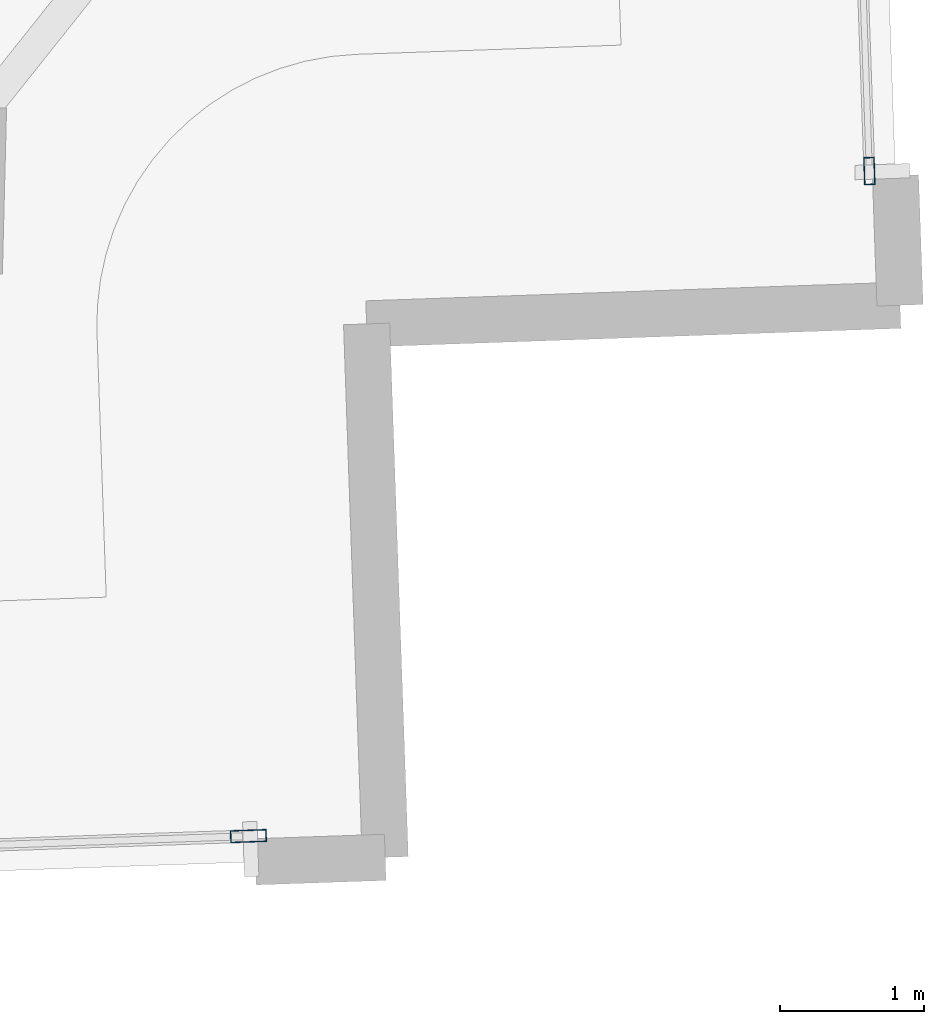
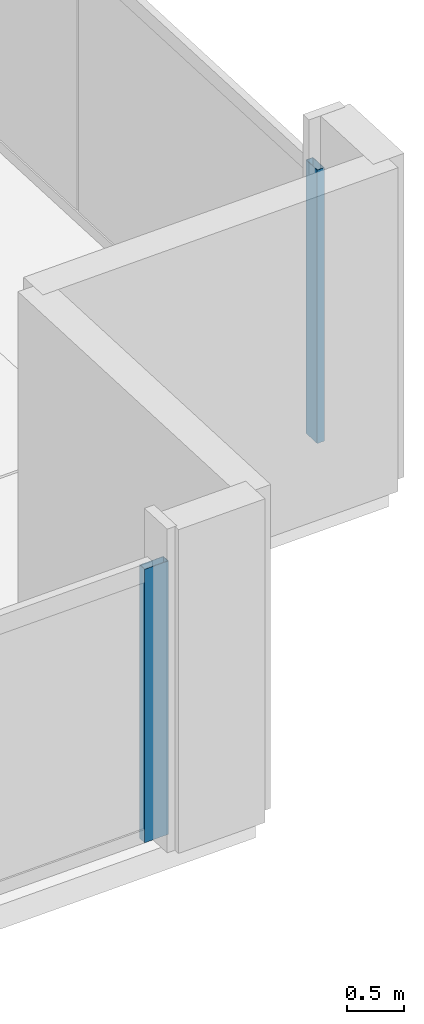
# One storey, part 8 of 23: 2 members, 2 elements without a shape of their own.
"""IFC4 building model written with IfcOpenShell, lengths in metres."""

from ifc_helpers import new_model, si_unit, direction, frame, origin, origin_2d, place, context, subcontext, project, spatial, hollow_rectangle, extrude, material, material_profile, profile_set, type_object, element, aggregate, save


model = new_model("IFC4")

# Units and contexts
model_context = context("Model", 3, precision=1e-05, world=origin(), true_north=direction((0.0, 1.0)))
body_context = subcontext(model_context, "Body", "Model", "MODEL_VIEW")
ifc_project = project(units=[si_unit("LENGTHUNIT", "METRE"), si_unit("AREAUNIT", "SQUARE_METRE"), si_unit("VOLUMEUNIT", "CUBIC_METRE"), si_unit("PLANEANGLEUNIT", "RADIAN"), si_unit("MASSUNIT", "GRAM", prefix="KILO")], contexts=[model_context])

# Site, building, storey
site_placement = place(None, origin())
site = spatial("IfcSite", under=ifc_project, at=site_placement, CompositionType="ELEMENT")
building_placement = place(site_placement, origin())
building = spatial("IfcBuilding", under=site, at=building_placement, Name="Haldenkirk Collegiate Tower", CompositionType="ELEMENT")
storey_placement = place(building_placement, frame((0.0, 0.0, 336.449951171875)))
storey = spatial("IfcBuildingStorey", under=building, at=storey_placement, Name="L85", CompositionType="ELEMENT", Elevation=336.449951171875)

# Curtain wall, member
ifc_material = material(Name="Anodised architectural bronze aluminium", Category="aluminium")
curtain_wall_type_1 = type_object("IfcCurtainWallType", Name="CW-SYS2-CONCAVE", PredefinedType="USERDEFINED", material=ifc_material)
curtain_wall_1_placement = place(storey_placement, origin())
curtain_wall_1 = element("IfcCurtainWall", 1, at=curtain_wall_1_placement, inside=storey, type_object=curtain_wall_type_1, Name="L85 South concave recessed bronze-anodised curtain wall", ObjectType="UNITISED CURTAIN WALL", PredefinedType="USERDEFINED")
ifc_material_profile_1 = material_profile(ifc_material, hollow_rectangle(XDim=0.074951171875, YDim=0.18994140625, WallThickness=0.0048828125, at=origin_2d()), Name="CW-MUL-02")
ifc_profile_set_1 = profile_set([ifc_material_profile_1], Name="Anodised architectural bronze aluminium")
member_type_1 = type_object("IfcMemberType", Name="CW-MUL-02", PredefinedType="MULLION", material=ifc_profile_set_1)
member_1_placement = place(storey_placement, frame((58.54638671875, 9.1640625, 0.0), z_axis=(0.0, 0.0, 1.0), x_axis=(0.999390776503, 0.034900943257, 0.0)))
member_1 = element("IfcMember", 2, at=member_1_placement, type_object=member_type_1, Name="CW-02 mullion 4", PredefinedType="MULLION", context=body_context, shape_type="SweptSolid", body=[
    extrude(hollow_rectangle(XDim=0.074951171875, YDim=0.18994140625, WallThickness=0.0048828125, at=origin_2d()), origin(), (0.0, 0.0, 1.0), 2.947998046875),
])
aggregate(curtain_wall_1, [member_1])

curtain_wall_type_2 = type_object("IfcCurtainWallType", Name="CW-SYS1B-CONVEX-HI", PredefinedType="USERDEFINED", material=ifc_material)
curtain_wall_2_placement = place(storey_placement, origin())
curtain_wall_2 = element("IfcCurtainWall", 3, at=curtain_wall_2_placement, inside=storey, type_object=curtain_wall_type_2, Name="L85 Upper tower high-wind convex bronze unitised curtain wall", ObjectType="UNITISED CURTAIN WALL", PredefinedType="USERDEFINED")
ifc_material_profile_2 = material_profile(ifc_material, hollow_rectangle(XDim=0.0849609375, YDim=0.25, WallThickness=0.0048828125, at=origin_2d()), Name="CW-MUL-1B")
ifc_profile_set_2 = profile_set([ifc_material_profile_2], Name="Anodised architectural bronze aluminium")
member_type_2 = type_object("IfcMemberType", Name="CW-MUL-1B", PredefinedType="MULLION", material=ifc_profile_set_2)
member_2_placement = place(storey_placement, frame((54.241943359375, 4.5537109375, 0.0), z_axis=(0.0, 0.0, 1.0), x_axis=(0.034901844415, -0.999390745032, 0.0)))
member_2 = element("IfcMember", 4, at=member_2_placement, type_object=member_type_2, Name="CW-1B mullion 1", PredefinedType="MULLION", context=body_context, shape_type="SweptSolid", body=[
    extrude(hollow_rectangle(XDim=0.0849609375, YDim=0.25, WallThickness=0.0048828125, at=origin_2d()), origin(), (0.0, 0.0, 1.0), 2.947998046875),
])
aggregate(curtain_wall_2, [member_2])

save(model, "model.ifc")
